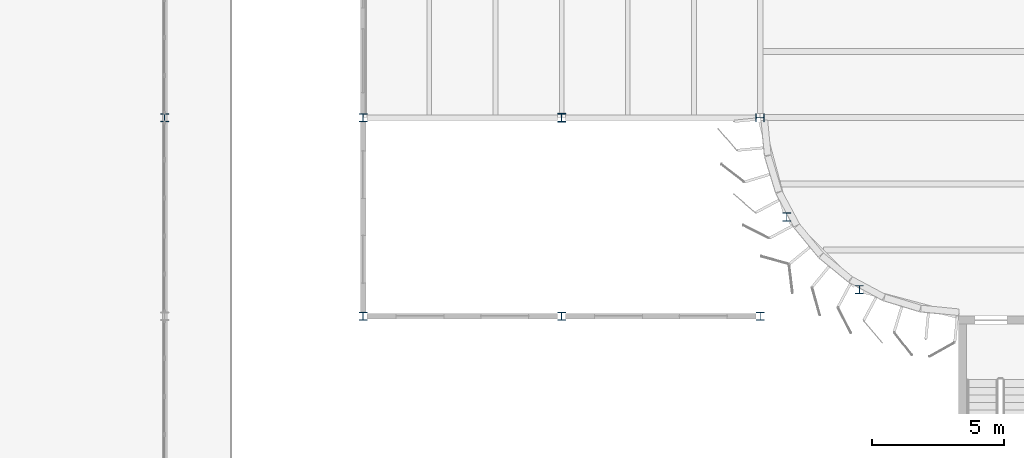
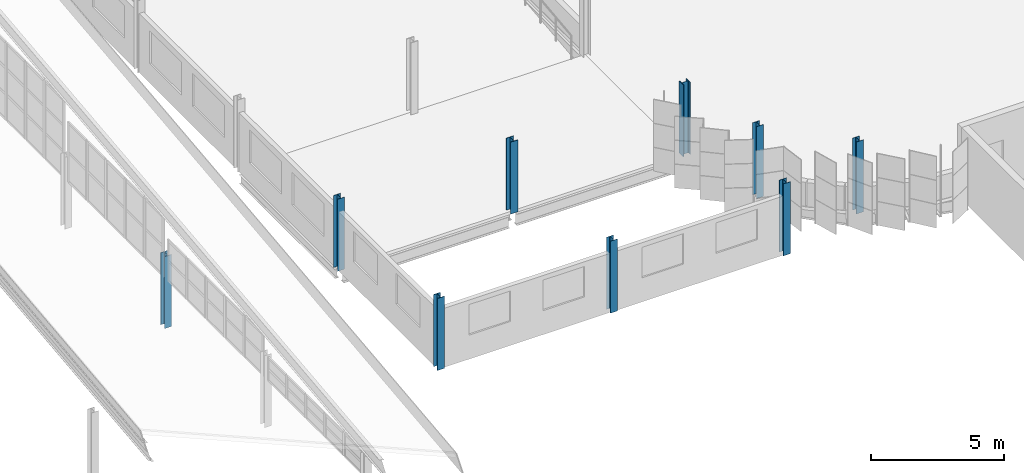
# One storey, part 14 of 199: 9 columns.
"""IFC4 building model written with IfcOpenShell, lengths in metres."""

import ifcopenshell
import ifcopenshell.guid

model = None  # the IFC model being written
_history = None  # IfcOwnerHistory: only IFC2X3 demands one
_inside = {}  # id of a spatial element -> (the spatial element, [elements in it])
_under = {}  # id of a project, library or spatial element -> (it, [spatial elements below it])
_declared = {}  # id of a project -> (the project, [libraries it declares])
_typed = {}  # id of a type object -> (the type object, [elements of that type])
_made_of = {}  # id of a material, layer set ... -> (it, [elements and type objects made of it])


def new_model(schema):
    """Start an empty IFC model of exactly this schema.

    Asked for "IFC4X3", IfcOpenShell would pick the latest addendum, in which some entities
    have other attributes; the version numbers below select the first issue.
    IFC2X3 requires an IfcOwnerHistory on every rooted entity: one is made here for all.
    """
    global model, _history
    if schema == "IFC4X3":
        model = ifcopenshell.file(schema_version=(4, 3, 0, 0))
    else:
        model = ifcopenshell.file(schema=schema)
    _inside.clear()
    _under.clear()
    _declared.clear()
    _typed.clear()
    _made_of.clear()
    _history = None
    if model.schema == "IFC2X3":
        org = make("IfcOrganization", Name="unknown")
        user = make(
            "IfcPersonAndOrganization",
            ThePerson=make("IfcPerson", FamilyName="unknown"),
            TheOrganization=org,
        )
        app = make(
            "IfcApplication",
            ApplicationDeveloper=org,
            Version="unknown",
            ApplicationFullName="unknown",
            ApplicationIdentifier="unknown",
        )
        _history = make(
            "IfcOwnerHistory",
            OwningUser=user,
            OwningApplication=app,
            ChangeAction="ADDED",
            CreationDate=0,
        )
    return model


def make(cls, **values):
    """One entity of the class cls with the attributes given. An attribute that is None is left unset."""
    return model.create_entity(
        cls, **{name: value for name, value in values.items() if value is not None}
    )


def rooted(cls, **values):
    """An entity with a GlobalId (a new one), such as an element, a storey or a relation."""
    return make(cls, GlobalId=ifcopenshell.guid.new(), OwnerHistory=_history, **values)


def si_unit(unit_type, name, prefix=None):
    """IfcSIUnit, for example si_unit("LENGTHUNIT", "METRE", prefix="MILLI")."""
    return make("IfcSIUnit", UnitType=unit_type, Prefix=prefix, Name=name)


def assignment(units):
    """IfcUnitAssignment: the units of a project."""
    return None if units is None else make("IfcUnitAssignment", Units=units)


def point(xyz):
    """IfcCartesianPoint."""
    return None if xyz is None else make("IfcCartesianPoint", Coordinates=xyz)


def direction(xyz):
    """IfcDirection."""
    return None if xyz is None else make("IfcDirection", DirectionRatios=xyz)


def frame(location, z_axis=None, x_axis=None):
    """IfcAxis2Placement3D, a coordinate frame: its origin and axes. An axis left out is left unset."""
    return make(
        "IfcAxis2Placement3D",
        Location=point(location),
        Axis=direction(z_axis),
        RefDirection=direction(x_axis),
    )


def frame_2d(location, x_axis=None):
    """IfcAxis2Placement2D, a coordinate frame in the plane: its origin and x axis."""
    return make(
        "IfcAxis2Placement2D", Location=point(location), RefDirection=direction(x_axis)
    )


def origin():
    """The frame at (0, 0, 0) with its axes left unset."""
    return frame((0.0, 0.0, 0.0))


def origin_2d():
    """The frame at (0, 0) in the plane with its x axis left unset."""
    return frame_2d((0.0, 0.0))


def place(relative_to, where):
    """IfcLocalPlacement: puts the frame where relative to a parent placement (None: the world)."""
    return make(
        "IfcLocalPlacement", PlacementRelTo=relative_to, RelativePlacement=where
    )


def context(
    kind, dimensions, precision=None, world=None, true_north=None, identifier=None
):
    """IfcGeometricRepresentationContext, for example the 3D "Model" context."""
    return make(
        "IfcGeometricRepresentationContext",
        ContextIdentifier=identifier,
        ContextType=kind,
        CoordinateSpaceDimension=dimensions,
        Precision=precision,
        WorldCoordinateSystem=world,
        TrueNorth=true_north,
    )


def subcontext(parent, identifier, kind, view, scale=None):
    """IfcGeometricRepresentationSubContext, for example "Body" below "Model"."""
    return make(
        "IfcGeometricRepresentationSubContext",
        ContextIdentifier=identifier,
        ContextType=kind,
        ParentContext=parent,
        TargetScale=scale,
        TargetView=view,
    )


def project(units=None, contexts=None):
    """IfcProject with its units and contexts."""
    return rooted(
        "IfcProject",
        Name="project",
        RepresentationContexts=contexts,
        UnitsInContext=assignment(units),
    )


def spatial(cls, under=None, at=None, **own):
    """A site, building, storey or space (cls), placed at a placement, below another one or the project."""
    s = rooted(cls, ObjectPlacement=at, **own)
    if under is not None:
        _under.setdefault(under.id(), (under, []))[1].append(s)
    return s


def profile(cls, at=None, kind="AREA", **sizes):
    """A parametric profile (cls). Its sizes go by their IFC names, for example OverallWidth=200.0."""
    return make(cls, ProfileType=kind, Position=at, **sizes)


def i_section(**sizes):
    """IfcIShapeProfileDef."""
    return profile("IfcIShapeProfileDef", **sizes)


def extrude(swept, where, along, depth):
    """IfcExtrudedAreaSolid: the profile swept, set in the frame where, extruded along a direction by depth."""
    return make(
        "IfcExtrudedAreaSolid",
        SweptArea=swept,
        Position=where,
        ExtrudedDirection=direction(along),
        Depth=depth,
    )


def shape(context_of_items, identifier, shape_type, items):
    """IfcShapeRepresentation: the items that make up one representation, for example the "Body"."""
    return make(
        "IfcShapeRepresentation",
        ContextOfItems=context_of_items,
        RepresentationIdentifier=identifier,
        RepresentationType=shape_type,
        Items=items,
    )


def material(Name=None, Category=None):
    """IfcMaterial."""
    return make("IfcMaterial", Name=Name, Category=Category)


def material_profile(
    of_material, cross_section, Name=None, Category=None, Priority=None
):
    """IfcMaterialProfile: a cross section and its material."""
    return make(
        "IfcMaterialProfile",
        Name=Name,
        Material=of_material,
        Profile=cross_section,
        Priority=Priority,
        Category=Category,
    )


def profile_set(profiles, Name=None, composite=None):
    """IfcMaterialProfileSet."""
    return make(
        "IfcMaterialProfileSet",
        Name=Name,
        MaterialProfiles=profiles,
        CompositeProfile=composite,
    )


def made_of(thing, what):
    """Note that an element or type object is made of a material, layer set ...; save() writes the relation."""
    if what is not None:
        _made_of.setdefault(what.id(), (what, []))[1].append(thing)
    return thing


def type_object(cls, material=None, **own):
    """A type object (cls), such as IfcWallType, which elements share."""
    return made_of(rooted(cls, **own), material)


def element(
    cls,
    number,
    at=None,
    inside=None,
    cuts=None,
    type_object=None,
    material=None,
    context=None,
    identifier="Body",
    shape_type=None,
    held_by="IfcProductDefinitionShape",
    body=None,
    shapes=None,
    **own,
):
    """One element of the class cls, such as IfcWall. Its Tag is "e" and its number.

    at: its placement. inside: the storey or other place that contains it. cuts: it is an
    opening in that element (IfcRelVoidsElement). A single representation is given by context,
    identifier, shape_type and body (its items); several are given by shapes. held_by: the class
    of the entity that holds the representations. save() writes the other relations.
    """
    e = rooted(cls, Tag="e%d" % number, ObjectPlacement=at, **own)
    if body is not None:
        shapes = [shape(context, identifier, shape_type, body)]
    if shapes is not None:
        e.Representation = make(held_by, Representations=shapes)
    if inside is not None:
        _inside.setdefault(inside.id(), (inside, []))[1].append(e)
    if cuts is not None:
        rooted(
            "IfcRelVoidsElement", RelatingBuildingElement=cuts, RelatedOpeningElement=e
        )
    if type_object is not None:
        _typed.setdefault(type_object.id(), (type_object, []))[1].append(e)
    return made_of(e, material)


def aggregate(whole, parts):
    """IfcRelAggregates: a whole, such as a stair, and the parts it consists of."""
    return rooted("IfcRelAggregates", RelatingObject=whole, RelatedObjects=parts)


def save(model, path):
    """Write the relations noted so far, then the file.

    IfcRelAggregates (storeys below a building ...), IfcRelContainedInSpatialStructure (elements
    in a storey), IfcRelDefinesByType, IfcRelAssociatesMaterial and IfcRelDeclares: one each for
    every whole, place, type object, material and project.
    """
    for whole, parts in _under.values():
        aggregate(whole, parts)
    for where, things in _inside.values():
        rooted(
            "IfcRelContainedInSpatialStructure",
            RelatedElements=things,
            RelatingStructure=where,
        )
    for kind, things in _typed.values():
        rooted("IfcRelDefinesByType", RelatedObjects=things, RelatingType=kind)
    for what, things in _made_of.values():
        rooted("IfcRelAssociatesMaterial", RelatedObjects=things, RelatingMaterial=what)
    for by, libraries in _declared.values():
        rooted("IfcRelDeclares", RelatingContext=by, RelatedDefinitions=libraries)
    model.write(path)


model = new_model("IFC4")

# Units and contexts
model_context = context("Model", 3, precision=1e-05, world=origin(), true_north=direction((0.0, 1.0)))
body_context = subcontext(model_context, "Body", "Model", "MODEL_VIEW")
ifc_project = project(units=[si_unit("LENGTHUNIT", "METRE"), si_unit("AREAUNIT", "SQUARE_METRE"), si_unit("VOLUMEUNIT", "CUBIC_METRE"), si_unit("PLANEANGLEUNIT", "RADIAN"), si_unit("MASSUNIT", "GRAM", prefix="KILO")], contexts=[model_context])

# Site, building, storey
site_placement = place(None, origin())
site = spatial("IfcSite", under=ifc_project, at=site_placement, CompositionType="ELEMENT")
building_placement = place(site_placement, origin())
building = spatial("IfcBuilding", under=site, at=building_placement, Name="Parallax Yard Mobility Hub", CompositionType="ELEMENT")
storey_placement = place(building_placement, frame((0.0, 0.0, 9.89990234375)))
storey = spatial("IfcBuildingStorey", under=building, at=storey_placement, Name="L03", CompositionType="ELEMENT", Elevation=9.89990234375)

# Columns
ifc_material = material(Name="Steel ASTM A992", Category="steel")
ifc_material_profile_1 = material_profile(ifc_material, i_section(OverallWidth=0.306884765625, OverallDepth=0.318115234375, WebThickness=0.01318359375, FlangeThickness=0.0205078125, FilletRadius=0.01513671875, at=origin_2d()), Name="W310x129")
ifc_profile_set_1 = profile_set([ifc_material_profile_1], Name="Steel ASTM A992")
column_type_1 = type_object("IfcColumnType", Name="W310x129 column", PredefinedType="COLUMN", material=ifc_profile_set_1)
column_1_placement = place(storey_placement, frame((195.0, 30.0, 0.0), z_axis=(0.0, 0.0, 1.0), x_axis=(0.0, 1.0, 0.0)))
element("IfcColumn", 1, at=column_1_placement, inside=storey, type_object=column_type_1, Name="Column C3 level L03 at E/27 of ramped parking decks", PredefinedType="COLUMN", context=body_context, shape_type="SweptSolid", body=[
    extrude(i_section(OverallWidth=0.306884765625, OverallDepth=0.318115234375, WebThickness=0.01318359375, FlangeThickness=0.0205078125, FilletRadius=0.01513671875, at=origin_2d()), origin(), (0.0, 0.0, 1.0), 3.300048828125),
])
ifc_material_profile_2 = material_profile(ifc_material, i_section(OverallWidth=0.31005859375, OverallDepth=0.327880859375, WebThickness=0.015380859375, FlangeThickness=0.025146484375, FilletRadius=0.015380859375, at=origin_2d()), Name="W310x158")
ifc_profile_set_2 = profile_set([ifc_material_profile_2], Name="Steel ASTM A992")
column_type_2 = type_object("IfcColumnType", Name="W310x158 column", PredefinedType="COLUMN", material=ifc_profile_set_2)
column_2_placement = place(storey_placement, frame((187.5, 30.0, 0.0), z_axis=(0.0, 0.0, 1.0), x_axis=(1.0, 0.0, 0.0)))
element("IfcColumn", 2, at=column_2_placement, inside=storey, type_object=column_type_2, Name="Column C6 level L03 at E/26 of ramp house", PredefinedType="COLUMN", context=body_context, shape_type="SweptSolid", body=[
    extrude(i_section(OverallWidth=0.31005859375, OverallDepth=0.327880859375, WebThickness=0.015380859375, FlangeThickness=0.025146484375, FilletRadius=0.015380859375, at=origin_2d()), origin(), (0.0, 0.0, 1.0), 3.300048828125),
])
ifc_material_profile_3 = material_profile(ifc_material, i_section(OverallWidth=0.304931640625, OverallDepth=0.306884765625, WebThickness=0.010009765625, FlangeThickness=0.015380859375, FilletRadius=0.01513671875, at=origin_2d()), Name="W310x97")
ifc_profile_set_3 = profile_set([ifc_material_profile_3], Name="Steel ASTM A992")
column_type_3 = type_object("IfcColumnType", Name="W310x97 column", PredefinedType="COLUMN", material=ifc_profile_set_3)
for number, where, z_axis, x_axis, name in (
    (3, (180.0, 22.5, 0.0), (0.0, 0.0, 1.0), (1.0, 0.0, 0.0), "Column C1 level L03 at D/25 of ramp house"),
    (4, (180.0, 30.0, 0.0), (0.0, 0.0, 1.0), (1.0, 0.0, 0.0), "Column C1 level L03 at E/25 of ramp house"),
    (5, (187.5, 22.5, 0.0), (0.0, 0.0, 1.0), (1.0, 0.0, 0.0), "Column C1 level L03 at D/26 of ramp house"),
    (6, (195.0, 22.5, 0.0), (0.0, 0.0, 1.0), (1.0, 0.0, 0.0), "Column C1 level L03 at D/27 of ramp house"),
    (7, (196.0048828125, 26.25, 0.0), (0.0, 0.0, 1.0), (1.0, 0.0, 0.0), "Column C1 level L03 at S-W1 of ramped parking decks"),
    (8, (198.75, 23.5048828125, 0.0), (0.0, 0.0, 1.0), (1.0, 0.0, 0.0), "Column C1 level L03 at S-W2 of ramped parking decks"),
    (9, (172.5, 30.0, 0.0), (0.0, 0.0, 1.0), (1.0, 0.0, 0.0), "Roof column E/24 level L03"),
):
    element("IfcColumn", number, at=place(storey_placement, frame(where, z_axis=z_axis, x_axis=x_axis)), inside=storey, type_object=column_type_3, Name=name, PredefinedType="COLUMN", context=body_context, shape_type="SweptSolid", body=[
        extrude(i_section(OverallWidth=0.304931640625, OverallDepth=0.306884765625, WebThickness=0.010009765625, FlangeThickness=0.015380859375, FilletRadius=0.01513671875, at=origin_2d()), origin(), (0.0, 0.0, 1.0), 3.300048828125),
    ])

save(model, "model.ifc")
